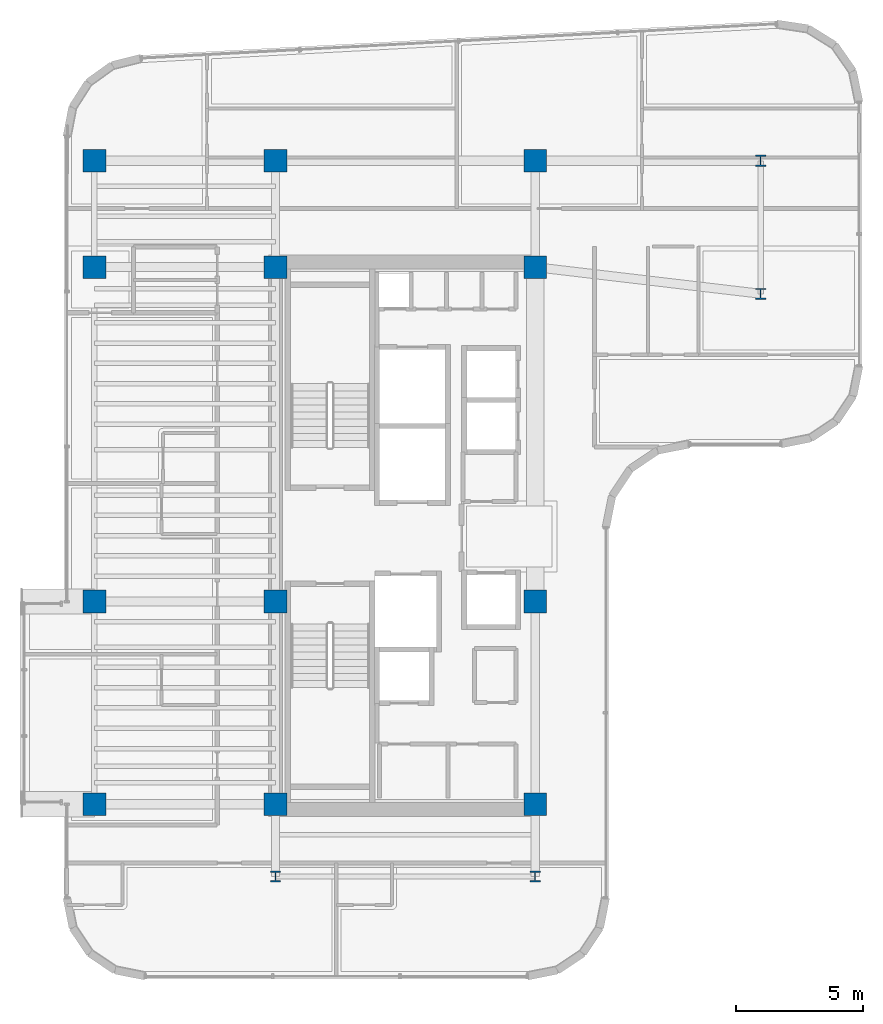
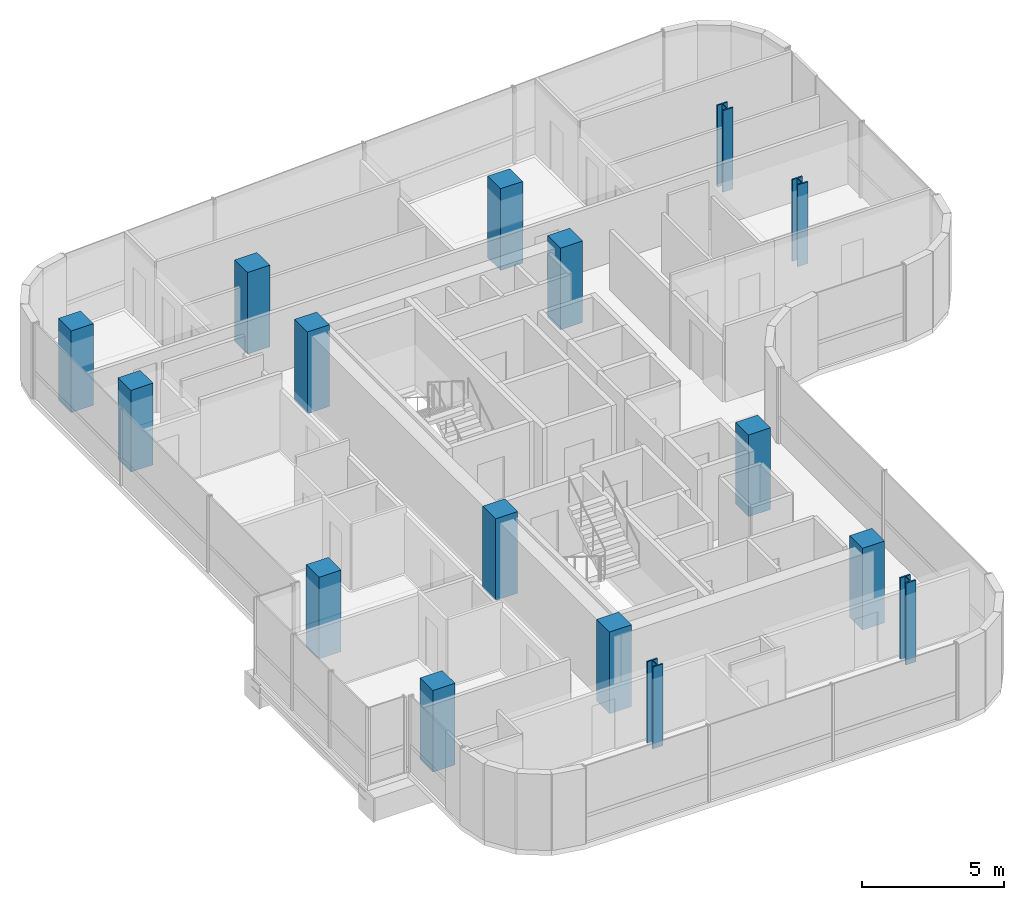
# One storey, part 1 of 24: 16 columns.
"""IFC4 building model written with IfcOpenShell, lengths in metres."""

from ifc_helpers import new_model, si_unit, direction, frame, origin, origin_2d, place, context, subcontext, project, spatial, rectangle, i_section, extrude, source, transform, mapped, material, material_profile, profile_set, type_object, element, save


model = new_model("IFC4")

# Units and contexts
model_context = context("Model", 3, precision=1e-05, world=origin(), true_north=direction((0.0, 1.0)))
body_context = subcontext(model_context, "Body", "Model", "MODEL_VIEW")
ifc_project = project(units=[si_unit("LENGTHUNIT", "METRE"), si_unit("AREAUNIT", "SQUARE_METRE"), si_unit("VOLUMEUNIT", "CUBIC_METRE"), si_unit("PLANEANGLEUNIT", "RADIAN"), si_unit("MASSUNIT", "GRAM", prefix="KILO")], contexts=[model_context])

# Site, building, storey
site_placement = place(None, origin())
site = spatial("IfcSite", under=ifc_project, at=site_placement, CompositionType="ELEMENT")
building_placement = place(site_placement, origin())
building = spatial("IfcBuilding", under=site, at=building_placement, Name="Valdorenza Pilgrim Sanctuary Tower", CompositionType="ELEMENT")
storey_placement = place(building_placement, frame((0.0, 0.0, 230.0)))
storey = spatial("IfcBuildingStorey", under=building, at=storey_placement, Name="L59", CompositionType="ELEMENT", Elevation=230.0)

# Columns
ifc_material_1 = material(Name="Concrete C50/60", Category="concrete")
ifc_material_profile_1 = material_profile(ifc_material_1, rectangle(XDim=0.89990234375, YDim=0.89990234375, at=origin_2d()), Name="RC 900x900")
ifc_profile_set_1 = profile_set([ifc_material_profile_1], Name="Concrete C50/60")
column_type_1 = type_object("IfcColumnType", Name="COL-Z4A-900", PredefinedType="COLUMN", material=ifc_profile_set_1)
shared_shape_1 = source(origin(), body_context, "Body", "SweptSolid", [
    extrude(rectangle(XDim=0.89990234375, YDim=0.89990234375, at=origin_2d()), origin(), (0.0, 0.0, 1.0), 3.5),
])
for number, where, z_axis, x_axis, name in (
    (1, (-29.800048828125, -10.60009765625, 0.0), (0.0, 0.0, 1.0), (1.0, 0.0, 0.0), "L59 Perimeter Column WA-W-S1"),
    (2, (-22.64990234375, -10.60009765625, 0.0), (0.0, 0.0, 1.0), (1.0, 0.0, 0.0), "L59 Column CA-W-S1"),
    (3, (-12.39990234375, -10.60009765625, 0.0), (0.0, 0.0, 1.0), (1.0, 0.0, 0.0), "L59 Column CA-E-S1"),
    (4, (-29.800048828125, -2.60009765625, 0.0), (0.0, 0.0, 1.0), (1.0, 0.0, 0.0), "L59 Perimeter Column WA-W-M0"),
    (5, (-22.64990234375, -2.60009765625, 0.0), (0.0, 0.0, 1.0), (1.0, 0.0, 0.0), "L59 Column CA-W-M0"),
    (6, (-12.39990234375, -2.60009765625, 0.0), (0.0, 0.0, 1.0), (1.0, 0.0, 0.0), "L59 Column CA-E-M0"),
    (7, (-29.800048828125, 10.60009765625, 0.0), (0.0, 0.0, 1.0), (1.0, 0.0, 0.0), "L59 Perimeter Column WA-W-N1"),
    (8, (-22.64990234375, 10.60009765625, 0.0), (0.0, 0.0, 1.0), (1.0, 0.0, 0.0), "L59 Column CA-W-N1"),
    (9, (-12.39990234375, 10.60009765625, 0.0), (0.0, 0.0, 1.0), (1.0, 0.0, 0.0), "L59 Column CA-E-N1"),
    (10, (-29.800048828125, 14.800048828125, 0.0), (0.0, 0.0, 1.0), (1.0, 0.0, 0.0), "L59 Perimeter Column WA-W-N2"),
    (11, (-22.64990234375, 14.800048828125, 0.0), (0.0, 0.0, 1.0), (1.0, 0.0, 0.0), "L59 Column CA-W-N2"),
    (12, (-12.39990234375, 14.800048828125, 0.0), (0.0, 0.0, 1.0), (1.0, 0.0, 0.0), "L59 Column CA-E-N2"),
):
    element("IfcColumn", number, at=place(storey_placement, frame(where, z_axis=z_axis, x_axis=x_axis)), inside=storey, type_object=column_type_1, Name=name, PredefinedType="COLUMN", context=body_context, shape_type="MappedRepresentation", body=[
        mapped(shared_shape_1, transform((0.0, 0.0, 0.0), x_axis=(1.0, 0.0, 0.0), y_axis=(0.0, 1.0, 0.0), z_axis=(0.0, 0.0, 1.0), scale=1.0)),
    ])
ifc_material_2 = material(Name="Steel ASTM A992 Grade 50", Category="steel")
ifc_material_profile_2 = material_profile(ifc_material_2, i_section(OverallWidth=0.412109375, OverallDepth=0.43505859375, WebThickness=0.035888671875, FlangeThickness=0.057373046875, at=origin_2d()), Name="W14X311")
ifc_profile_set_2 = profile_set([ifc_material_profile_2], Name="Steel ASTM A992 Grade 50")
column_type_2 = type_object("IfcColumnType", Name="COL-STL-W311", PredefinedType="COLUMN", material=ifc_profile_set_2)
shared_shape_2 = source(origin(), body_context, "Body", "SweptSolid", [
    extrude(i_section(OverallWidth=0.412109375, OverallDepth=0.43505859375, WebThickness=0.035888671875, FlangeThickness=0.057373046875, at=origin_2d()), origin(), (0.0, 0.0, 1.0), 3.5),
])
for number, where, z_axis, x_axis, name in (
    (13, (-22.64990234375, -13.449951171875, 0.0), (0.0, 0.0, 1.0), (1.0, 0.0, 0.0), "L59 Column WA-S-W"),
    (14, (-12.39990234375, -13.449951171875, 0.0), (0.0, 0.0, 1.0), (1.0, 0.0, 0.0), "L59 Column WA-S-E"),
    (15, (-3.5, 9.550048828125, 0.0), (0.0, 0.0, 1.0), (1.0, 0.0, 0.0), "L59 Column UWA-K1"),
    (16, (-3.5, 14.800048828125, 0.0), (0.0, 0.0, 1.0), (1.0, 0.0, 0.0), "L59 Column UWA-K2"),
):
    element("IfcColumn", number, at=place(storey_placement, frame(where, z_axis=z_axis, x_axis=x_axis)), inside=storey, type_object=column_type_2, Name=name, PredefinedType="COLUMN", context=body_context, shape_type="MappedRepresentation", body=[
        mapped(shared_shape_2, transform((0.0, 0.0, 0.0), x_axis=(1.0, 0.0, 0.0), y_axis=(0.0, 1.0, 0.0), z_axis=(0.0, 0.0, 1.0), scale=1.0)),
    ])

save(model, "model.ifc")
